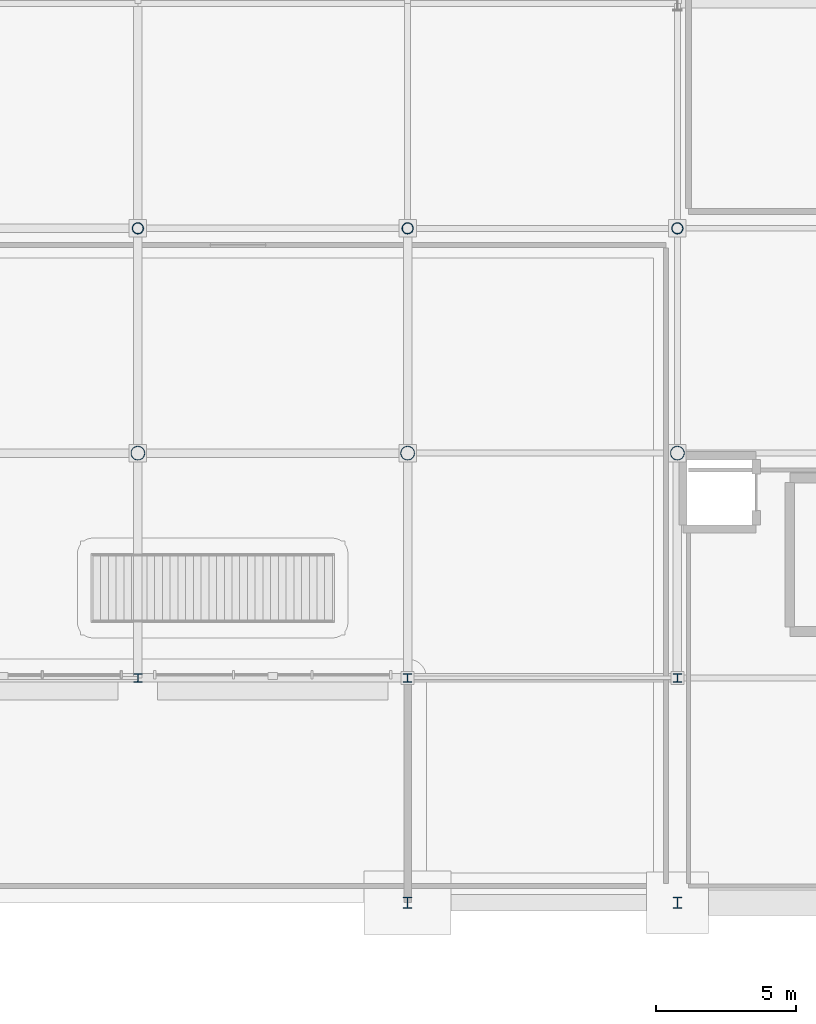
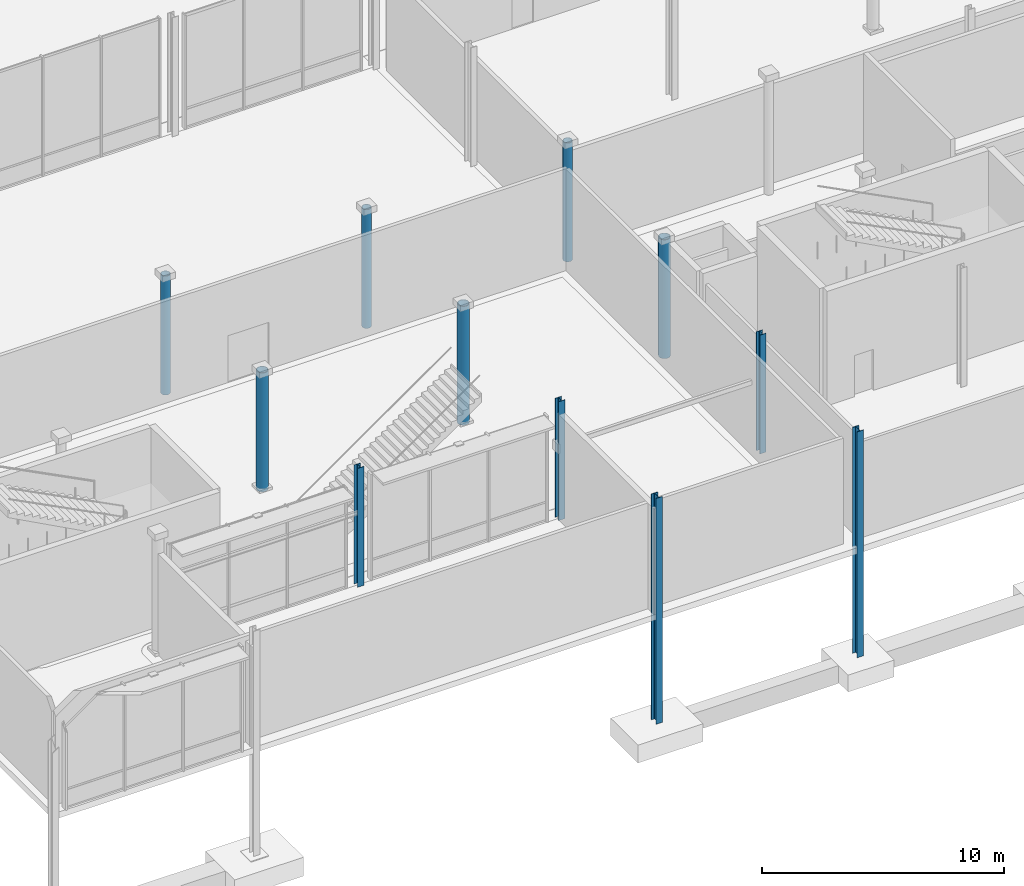
# One storey, part 18 of 124: 11 columns.
"""IFC4 building model written with IfcOpenShell, lengths in metres."""

from ifc_helpers import new_model, si_unit, direction, frame, origin, origin_2d, place, context, subcontext, project, spatial, hollow_circle, i_section, extrude, material, material_profile, profile_set, type_object, element, save


model = new_model("IFC4")

# Units and contexts
model_context = context("Model", 3, precision=1e-05, world=origin(), true_north=direction((0.0, 1.0)))
body_context = subcontext(model_context, "Body", "Model", "MODEL_VIEW")
ifc_project = project(units=[si_unit("LENGTHUNIT", "METRE"), si_unit("AREAUNIT", "SQUARE_METRE"), si_unit("VOLUMEUNIT", "CUBIC_METRE"), si_unit("PLANEANGLEUNIT", "RADIAN"), si_unit("MASSUNIT", "GRAM", prefix="KILO")], contexts=[model_context])

# Site, building, storey
site_placement = place(None, origin())
site = spatial("IfcSite", under=ifc_project, at=site_placement, CompositionType="ELEMENT")
building_placement = place(site_placement, origin())
building = spatial("IfcBuilding", under=site, at=building_placement, Name="Danafjord Basin Convention Centre", CompositionType="ELEMENT")
storey_placement = place(building_placement, origin())
storey = spatial("IfcBuildingStorey", under=building, at=storey_placement, Name="L00", CompositionType="ELEMENT", Elevation=0.0)

# Columns
ifc_material = material(Name="Steel S355", Category="steel")
ifc_material_profile_1 = material_profile(ifc_material, hollow_circle(Radius=0.203125, WallThickness=0.02001953125, at=origin_2d()), Name="CHS 406.4x20.0")
ifc_profile_set_1 = profile_set([ifc_material_profile_1], Name="Steel S355")
column_type_1 = type_object("IfcColumnType", Name="COL-C-CHS406", PredefinedType="COLUMN", material=ifc_profile_set_1)
for number, where, z_axis, x_axis, name in (
    (1, (163.199951171875, 24.0, 0.0), (0.0, 0.0, 1.0), (1.0, 0.0, 0.0), "L00 column C-CHS406 at (163.2, 24.0)"),
    (2, (172.800048828125, 24.0, 0.0), (0.0, 0.0, 1.0), (1.0, 0.0, 0.0), "L00 column C-CHS406 at (172.8, 24.0)"),
    (3, (182.39990234375, 24.0, 0.0), (0.0, 0.0, 1.0), (1.0, 0.0, 0.0), "L00 column C-CHS406 at (182.4, 24.0)"),
):
    element("IfcColumn", number, at=place(storey_placement, frame(where, z_axis=z_axis, x_axis=x_axis)), inside=storey, type_object=column_type_1, Name=name, PredefinedType="COLUMN", context=body_context, shape_type="SweptSolid", body=[
        extrude(hollow_circle(Radius=0.203125, WallThickness=0.02001953125, at=origin_2d()), origin(), (0.0, 0.0, 1.0), 6.0),
    ])
ifc_material_profile_2 = material_profile(ifc_material, hollow_circle(Radius=0.25390625, WallThickness=0.02490234375, at=origin_2d()), Name="CHS 508.0x25.0")
ifc_profile_set_2 = profile_set([ifc_material_profile_2], Name="Steel S355")
column_type_2 = type_object("IfcColumnType", Name="COL-C-CHS508", PredefinedType="COLUMN", material=ifc_profile_set_2)
for number, where, z_axis, x_axis, name in (
    (4, (163.199951171875, 16.0, 0.0), (0.0, 0.0, 1.0), (1.0, 0.0, 0.0), "L00 column C-CHS508 at (163.2, 16.0)"),
    (5, (172.800048828125, 16.0, 0.0), (0.0, 0.0, 1.0), (1.0, 0.0, 0.0), "L00 column C-CHS508 at (172.8, 16.0)"),
    (6, (182.39990234375, 16.0, 0.0), (0.0, 0.0, 1.0), (1.0, 0.0, 0.0), "L00 column C-CHS508 at (182.4, 16.0)"),
):
    element("IfcColumn", number, at=place(storey_placement, frame(where, z_axis=z_axis, x_axis=x_axis)), inside=storey, type_object=column_type_2, Name=name, PredefinedType="COLUMN", context=body_context, shape_type="SweptSolid", body=[
        extrude(hollow_circle(Radius=0.25390625, WallThickness=0.02490234375, at=origin_2d()), origin(), (0.0, 0.0, 1.0), 6.0),
    ])
ifc_material_profile_3 = material_profile(ifc_material, i_section(OverallWidth=0.300048828125, OverallDepth=0.300048828125, WebThickness=0.010986328125, FlangeThickness=0.01904296875, FilletRadius=0.027099609375, at=origin_2d()), Name="HEB 300")
ifc_profile_set_3 = profile_set([ifc_material_profile_3], Name="Steel S355")
column_type_3 = type_object("IfcColumnType", Name="COL-C-HEB300", PredefinedType="COLUMN", material=ifc_profile_set_3)
for number, where, z_axis, x_axis, name in (
    (7, (163.199951171875, 8.0, 0.0), (0.0, 0.0, 1.0), (1.0, 0.0, 0.0), "L00 column C-HEB300 at (163.2, 8.0)"),
    (8, (172.800048828125, 8.0, 0.0), (0.0, 0.0, 1.0), (1.0, 0.0, 0.0), "L00 column C-HEB300 at (172.8, 8.0)"),
    (9, (182.39990234375, 8.0, 0.0), (0.0, 0.0, 1.0), (1.0, 0.0, 0.0), "L00 column C-HEB300 at (182.4, 8.0)"),
):
    element("IfcColumn", number, at=place(storey_placement, frame(where, z_axis=z_axis, x_axis=x_axis)), inside=storey, type_object=column_type_3, Name=name, PredefinedType="COLUMN", context=body_context, shape_type="SweptSolid", body=[
        extrude(i_section(OverallWidth=0.300048828125, OverallDepth=0.300048828125, WebThickness=0.010986328125, FlangeThickness=0.01904296875, FilletRadius=0.027099609375, at=origin_2d()), origin(), (0.0, 0.0, 1.0), 6.0),
    ])
ifc_material_profile_4 = material_profile(ifc_material, i_section(OverallWidth=0.300048828125, OverallDepth=0.39990234375, WebThickness=0.013427734375, FlangeThickness=0.02392578125, FilletRadius=0.027099609375, at=origin_2d()), Name="HEB 400")
ifc_profile_set_4 = profile_set([ifc_material_profile_4], Name="Steel S355")
column_type_4 = type_object("IfcColumnType", Name="COL-C-HEB400", PredefinedType="COLUMN", material=ifc_profile_set_4)
for number, where, z_axis, x_axis, name in (
    (10, (172.800048828125, 0.0, -5.39990234375), (0.0, 0.0, 1.0), (1.0, 0.0, 0.0), "L00 column C-HEB400 at (172.8, 0.0)"),
    (11, (182.39990234375, 0.0, -5.39990234375), (0.0, 0.0, 1.0), (1.0, 0.0, 0.0), "L00 column C-HEB400 at (182.4, 0.0)"),
):
    element("IfcColumn", number, at=place(storey_placement, frame(where, z_axis=z_axis, x_axis=x_axis)), inside=storey, type_object=column_type_4, Name=name, PredefinedType="COLUMN", context=body_context, shape_type="SweptSolid", body=[
        extrude(i_section(OverallWidth=0.300048828125, OverallDepth=0.39990234375, WebThickness=0.013427734375, FlangeThickness=0.02392578125, FilletRadius=0.027099609375, at=origin_2d()), origin(), (0.0, 0.0, 1.0), 11.39990234375),
    ])

save(model, "model.ifc")
